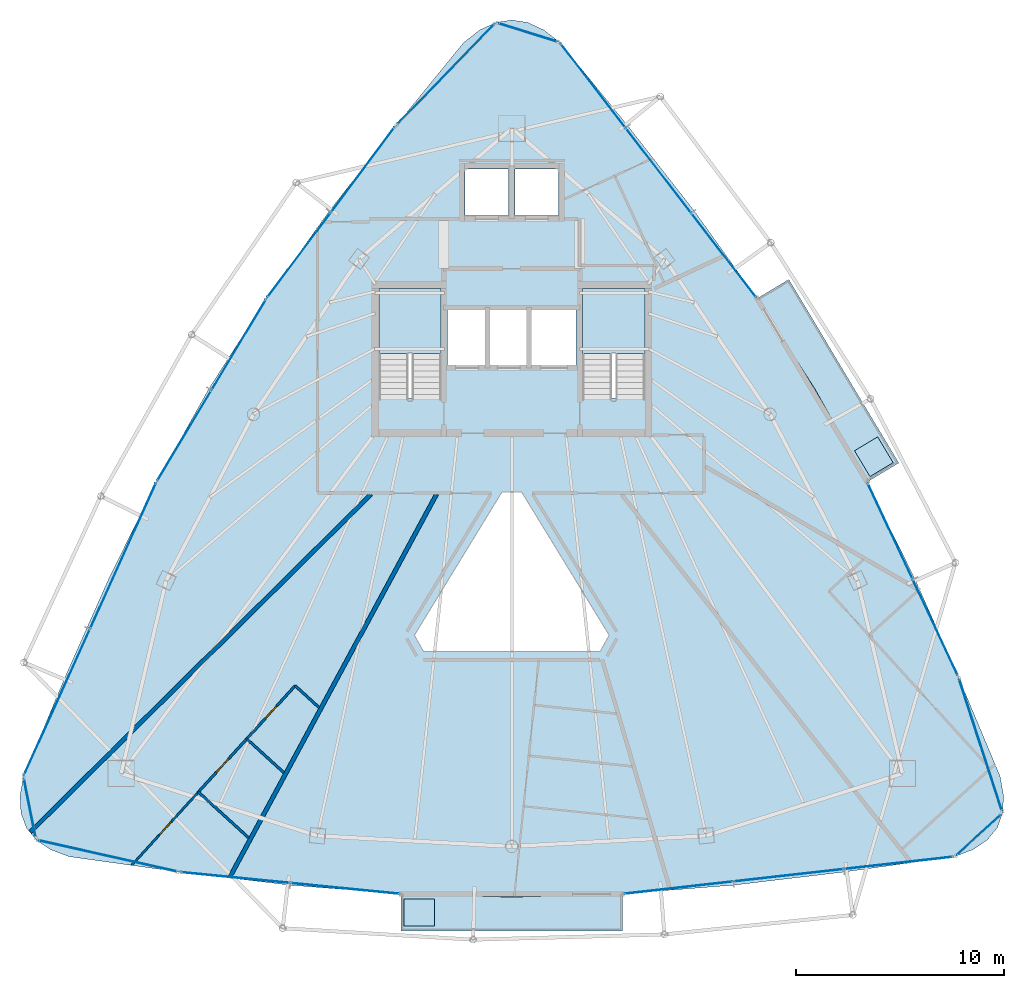
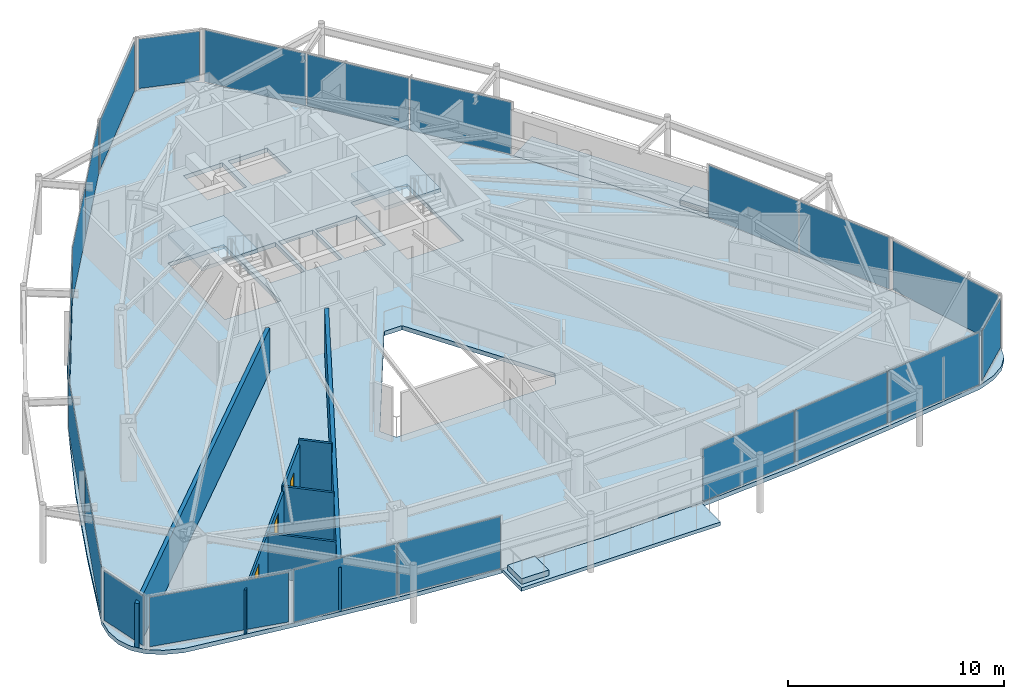
# One storey, part 28 of 34: 22 plates, 8 walls, 7 slabs, 3 doors, 3 openings, 15 elements without a shape of their own.
"""IFC4 building model written with IfcOpenShell, lengths in metres."""

from ifc_helpers import new_model, si_unit, direction, frame, frame_2d, origin, origin_2d, place, context, subcontext, project, spatial, polyline, rectangle, outline, extrude, material, layer, layer_set, type_object, element, fill, aggregate, save


model = new_model("IFC4")

# Units and contexts
model_context = context("Model", 3, precision=1e-05, world=origin(), true_north=direction((0.0, 1.0)))
body_context = subcontext(model_context, "Body", "Model", "MODEL_VIEW")
ifc_project = project(units=[si_unit("LENGTHUNIT", "METRE"), si_unit("AREAUNIT", "SQUARE_METRE"), si_unit("VOLUMEUNIT", "CUBIC_METRE"), si_unit("PLANEANGLEUNIT", "RADIAN"), si_unit("MASSUNIT", "GRAM", prefix="KILO")], contexts=[model_context])

# Site, building, storey
site_placement = place(None, origin())
site = spatial("IfcSite", under=ifc_project, at=site_placement, CompositionType="ELEMENT")
building_placement = place(site_placement, origin())
building = spatial("IfcBuilding", under=site, at=building_placement, Name="Orvanel Arch Residences", CompositionType="ELEMENT")
storey_placement = place(building_placement, frame((0.0, 0.0, 199.699951171875)))
storey = spatial("IfcBuildingStorey", under=building, at=storey_placement, Name="L56", CompositionType="ELEMENT", Elevation=199.699951171875)

# Curtain wall, plates
ifc_material_1 = material(Name="Bronze-anodised aluminium AA6063-T6", Category="aluminium")
ifc_layer_1 = layer(ifc_material_1, 0.175048828125)
ifc_layer_set_1 = layer_set([ifc_layer_1], Name="Bronze-anodised aluminium AA6063-T6")
curtain_wall_type_1 = type_object("IfcCurtainWallType", Name="CW4-HI-SYS", PredefinedType="NOTDEFINED", material=ifc_layer_set_1)
curtain_wall_1_placement = place(storey_placement, origin())
curtain_wall_1 = element("IfcCurtainWall", 1, at=curtain_wall_1_placement, inside=storey, type_object=curtain_wall_type_1, Name="L56 CW4-HI-SYS Unitised Curtain Wall", PredefinedType="NOTDEFINED")
ifc_material_2 = material(Name="Double-glazed solar-control low-E safety glass", Category="glass")
ifc_layer_2 = layer(ifc_material_2, 0.028076171875)
ifc_layer_set_2 = layer_set([ifc_layer_2], Name="Double-glazed solar-control low-E safety glass")
plate_type_1 = type_object("IfcPlateType", Name="PNL-GLZ-28", PredefinedType="CURTAIN_PANEL", material=ifc_layer_set_2)
plate_1_placement = place(storey_placement, frame((25.83154296875, 39.407958984375, 0.06005859375), z_axis=(0.0, 0.0, 1.0), x_axis=(-0.598944172287, -0.800790783216, 0.0)))
plate_1 = element("IfcPlate", 2, at=plate_1_placement, type_object=plate_type_1, Name="CW-S4 panel 1.1", PredefinedType="CURTAIN_PANEL", context=body_context, shape_type="SweptSolid", body=[
    extrude(rectangle(XDim=5.057373046875, YDim=0.028076171875, at=origin_2d()), origin(), (0.0, 0.0, 1.0), 2.93994140625),
])
plate_2_placement = place(storey_placement, frame((22.763427734375, 35.305908203125, 0.06005859375), z_axis=(0.0, 0.0, 1.0), x_axis=(-0.598944172287, -0.800790783216, 0.0)))
plate_2 = element("IfcPlate", 3, at=plate_2_placement, type_object=plate_type_1, Name="CW-S4 panel 2.1", PredefinedType="CURTAIN_PANEL", context=body_context, shape_type="SweptSolid", body=[
    extrude(rectangle(XDim=5.057373046875, YDim=0.028076171875, at=origin_2d()), origin(), (0.0, 0.0, 1.0), 2.93994140625),
])
aggregate(curtain_wall_1, [plate_1, plate_2])

curtain_wall_2_placement = place(storey_placement, origin())
curtain_wall_2 = element("IfcCurtainWall", 4, at=curtain_wall_2_placement, inside=storey, type_object=curtain_wall_type_1, Name="L56 CW4-HI-SYS Unitised Curtain Wall", PredefinedType="NOTDEFINED")
plate_3_placement = place(storey_placement, frame((19.8603515625, 30.9833984375, 0.06005859375), z_axis=(0.0, 0.0, 1.0), x_axis=(-0.514495755426, -0.857492925713, 0.0)))
plate_3 = element("IfcPlate", 5, at=plate_3_placement, type_object=plate_type_1, Name="CW-S4 panel 1.1", PredefinedType="CURTAIN_PANEL", context=body_context, shape_type="SweptSolid", body=[
    extrude(rectangle(XDim=5.03076171875, YDim=0.028076171875, at=origin_2d()), origin(), (0.0, 0.0, 1.0), 2.93994140625),
])
plate_4_placement = place(storey_placement, frame((17.238525390625, 26.61376953125, 0.06005859375), z_axis=(0.0, 0.0, 1.0), x_axis=(-0.514495755426, -0.857492925713, 0.0)))
plate_4 = element("IfcPlate", 6, at=plate_4_placement, type_object=plate_type_1, Name="CW-S4 panel 2.1", PredefinedType="CURTAIN_PANEL", context=body_context, shape_type="SweptSolid", body=[
    extrude(rectangle(XDim=5.03076171875, YDim=0.028076171875, at=origin_2d()), origin(), (0.0, 0.0, 1.0), 2.93994140625),
])
aggregate(curtain_wall_2, [plate_3, plate_4])

curtain_wall_3_placement = place(storey_placement, origin())
curtain_wall_3 = element("IfcCurtainWall", 7, at=curtain_wall_3_placement, inside=storey, type_object=curtain_wall_type_1, Name="L56 CW4-HI-SYS Unitised Curtain Wall", PredefinedType="NOTDEFINED")
plate_5_placement = place(storey_placement, frame((14.289794921875, 20.81787109375, 0.06005859375), z_axis=(0.0, 0.0, 1.0), x_axis=(-0.41176638777, -0.911289439148, 0.0)))
plate_5 = element("IfcPlate", 8, at=plate_5_placement, type_object=plate_type_1, Name="CW-S4 panel 1.1", PredefinedType="CURTAIN_PANEL", context=body_context, shape_type="SweptSolid", body=[
    extrude(rectangle(XDim=7.656982421875, YDim=0.028076171875, at=origin_2d()), origin(), (0.0, 0.0, 1.0), 2.93994140625),
])
plate_6_placement = place(storey_placement, frame((11.110107421875, 13.781005859375, 0.06005859375), z_axis=(0.0, 0.0, 1.0), x_axis=(-0.41176638777, -0.911289439148, 0.0)))
plate_6 = element("IfcPlate", 9, at=plate_6_placement, type_object=plate_type_1, Name="CW-S4 panel 2.1", PredefinedType="CURTAIN_PANEL", context=body_context, shape_type="SweptSolid", body=[
    extrude(rectangle(XDim=7.656982421875, YDim=0.028076171875, at=origin_2d()), origin(), (0.0, 0.0, 1.0), 2.93994140625),
])
aggregate(curtain_wall_3, [plate_5, plate_6])

curtain_wall_4_placement = place(storey_placement, origin())
curtain_wall_4 = element("IfcCurtainWall", 10, at=curtain_wall_4_placement, inside=storey, type_object=curtain_wall_type_1, Name="L56 CW4-HI-SYS Unitised Curtain Wall", PredefinedType="NOTDEFINED")
plate_7_placement = place(storey_placement, frame((19.704345703125, 5.343017578125, 0.06005859375), z_axis=(0.0, 0.0, 1.0), x_axis=(0.99514517761, -0.098417861591, 0.0)))
plate_7 = element("IfcPlate", 11, at=plate_7_placement, type_object=plate_type_1, Name="CW-S4 panel 1.1", PredefinedType="CURTAIN_PANEL", context=body_context, shape_type="SweptSolid", body=[
    extrude(rectangle(XDim=5.23681640625, YDim=0.028076171875, at=origin_2d()), origin(), (0.0, 0.0, 1.0), 2.93994140625),
])
plate_8_placement = place(storey_placement, frame((24.98046875, 4.821044921875, 0.06005859375), z_axis=(0.0, 0.0, 1.0), x_axis=(0.99514517761, -0.098417861591, 0.0)))
plate_8 = element("IfcPlate", 12, at=plate_8_placement, type_object=plate_type_1, Name="CW-S4 panel 2.1", PredefinedType="CURTAIN_PANEL", context=body_context, shape_type="SweptSolid", body=[
    extrude(rectangle(XDim=5.23681640625, YDim=0.028076171875, at=origin_2d()), origin(), (0.0, 0.0, 1.0), 2.93994140625),
])
aggregate(curtain_wall_4, [plate_7, plate_8])

curtain_wall_5_placement = place(storey_placement, origin())
curtain_wall_5 = element("IfcCurtainWall", 13, at=curtain_wall_5_placement, inside=storey, type_object=curtain_wall_type_1, Name="L56 CW4-HI-SYS Unitised Curtain Wall", PredefinedType="NOTDEFINED")
plate_9_placement = place(storey_placement, frame((41.022705078125, 4.85791015625, 0.06005859375), z_axis=(0.0, 0.0, 1.0), x_axis=(0.993730796907, 0.111799388547, 0.0)))
plate_9 = element("IfcPlate", 14, at=plate_9_placement, type_object=plate_type_1, Name="CW-S4 panel 1.1", PredefinedType="CURTAIN_PANEL", context=body_context, shape_type="SweptSolid", body=[
    extrude(rectangle(XDim=5.25146484375, YDim=0.028076171875, at=origin_2d()), origin(), (0.0, 0.0, 1.0), 2.93994140625),
])
plate_10_placement = place(storey_placement, frame((46.322021484375, 5.4541015625, 0.06005859375), z_axis=(0.0, 0.0, 1.0), x_axis=(0.993730796907, 0.111799388547, 0.0)))
plate_10 = element("IfcPlate", 15, at=plate_10_placement, type_object=plate_type_1, Name="CW-S4 panel 2.1", PredefinedType="CURTAIN_PANEL", context=body_context, shape_type="SweptSolid", body=[
    extrude(rectangle(XDim=5.283935546875, YDim=0.028076171875, at=origin_2d()), origin(), (0.0, 0.0, 1.0), 2.93994140625),
])
plate_11_placement = place(storey_placement, frame((51.62109375, 6.05029296875, 0.06005859375), z_axis=(0.0, 0.0, 1.0), x_axis=(0.993730796907, 0.111799388547, 0.0)))
plate_11 = element("IfcPlate", 16, at=plate_11_placement, type_object=plate_type_1, Name="CW-S4 panel 3.1", PredefinedType="CURTAIN_PANEL", context=body_context, shape_type="SweptSolid", body=[
    extrude(rectangle(XDim=5.25146484375, YDim=0.028076171875, at=origin_2d()), origin(), (0.0, 0.0, 1.0), 2.93994140625),
])
aggregate(curtain_wall_5, [plate_9, plate_10, plate_11])

curtain_wall_6_placement = place(storey_placement, origin())
curtain_wall_6 = element("IfcCurtainWall", 17, at=curtain_wall_6_placement, inside=storey, type_object=curtain_wall_type_1, Name="L56 CW4-HI-SYS Unitised Curtain Wall", PredefinedType="NOTDEFINED")
plate_12_placement = place(storey_placement, frame((53.3828125, 17.378662109375, 0.06005859375), z_axis=(0.0, 0.0, 1.0), x_axis=(-0.424493509228, 0.905430980596, 0.0)))
plate_12 = element("IfcPlate", 18, at=plate_12_placement, type_object=plate_type_1, Name="CW-S4 panel 1.1", PredefinedType="CURTAIN_PANEL", context=body_context, shape_type="SweptSolid", body=[
    extrude(rectangle(XDim=5.05810546875, YDim=0.028076171875, at=origin_2d()), origin(), (0.0, 0.0, 1.0), 2.93994140625),
])
plate_13_placement = place(storey_placement, frame((51.208251953125, 22.017333984375, 0.06005859375), z_axis=(0.0, 0.0, 1.0), x_axis=(-0.424493509228, 0.905430980596, 0.0)))
plate_13 = element("IfcPlate", 19, at=plate_13_placement, type_object=plate_type_1, Name="CW-S4 panel 2.1", PredefinedType="CURTAIN_PANEL", context=body_context, shape_type="SweptSolid", body=[
    extrude(rectangle(XDim=5.05810546875, YDim=0.028076171875, at=origin_2d()), origin(), (0.0, 0.0, 1.0), 2.93994140625),
])
aggregate(curtain_wall_6, [plate_12, plate_13])

curtain_wall_7_placement = place(storey_placement, origin())
curtain_wall_7 = element("IfcCurtainWall", 20, at=curtain_wall_7_placement, inside=storey, type_object=curtain_wall_type_1, Name="L56 CW4-HI-SYS Unitised Curtain Wall", PredefinedType="NOTDEFINED")
plate_14_placement = place(storey_placement, frame((43.203125, 35.289794921875, 0.06005859375), z_axis=(0.0, 0.0, 1.0), x_axis=(-0.610134485069, 0.792297867049, 0.0)))
plate_14 = element("IfcPlate", 21, at=plate_14_placement, type_object=plate_type_1, Name="CW-S4 panel 1.1", PredefinedType="CURTAIN_PANEL", context=body_context, shape_type="SweptSolid", body=[
    extrude(rectangle(XDim=5.07177734375, YDim=0.028076171875, at=origin_2d()), origin(), (0.0, 0.0, 1.0), 2.93994140625),
])
plate_15_placement = place(storey_placement, frame((40.05908203125, 39.37255859375, 0.06005859375), z_axis=(0.0, 0.0, 1.0), x_axis=(-0.610134485069, 0.792297867049, 0.0)))
plate_15 = element("IfcPlate", 22, at=plate_15_placement, type_object=plate_type_1, Name="CW-S4 panel 2.1", PredefinedType="CURTAIN_PANEL", context=body_context, shape_type="SweptSolid", body=[
    extrude(rectangle(XDim=5.104248046875, YDim=0.028076171875, at=origin_2d()), origin(), (0.0, 0.0, 1.0), 2.93994140625),
])
plate_16_placement = place(storey_placement, frame((36.914794921875, 43.455322265625, 0.06005859375), z_axis=(0.0, 0.0, 1.0), x_axis=(-0.610134485069, 0.792297867049, 0.0)))
plate_16 = element("IfcPlate", 23, at=plate_16_placement, type_object=plate_type_1, Name="CW-S4 panel 3.1", PredefinedType="CURTAIN_PANEL", context=body_context, shape_type="SweptSolid", body=[
    extrude(rectangle(XDim=5.07177734375, YDim=0.028076171875, at=origin_2d()), origin(), (0.0, 0.0, 1.0), 2.93994140625),
])
aggregate(curtain_wall_7, [plate_14, plate_15, plate_16])

# Curtain wall, plate
ifc_layer_3 = layer(ifc_material_1, 0.18994140625)
ifc_layer_set_3 = layer_set([ifc_layer_3], Name="Bronze-anodised aluminium AA6063-T6")
curtain_wall_type_2 = type_object("IfcCurtainWallType", Name="CW5-CRN-SYS", PredefinedType="NOTDEFINED", material=ifc_layer_set_3)
curtain_wall_8_placement = place(storey_placement, origin())
curtain_wall_8 = element("IfcCurtainWall", 24, at=curtain_wall_8_placement, inside=storey, type_object=curtain_wall_type_2, Name="L56 CW5-CRN-SYS Unitised Curtain Wall", PredefinedType="NOTDEFINED")
ifc_layer_4 = layer(ifc_material_2, 0.031982421875)
ifc_layer_set_4 = layer_set([ifc_layer_4], Name="Double-glazed solar-control low-E safety glass")
plate_type_2 = type_object("IfcPlateType", Name="PNL-GLZ-32", PredefinedType="CURTAIN_PANEL", material=ifc_layer_set_4)
plate_17_placement = place(storey_placement, frame((33.77197265625, 46.012451171875, 0.1298828125), z_axis=(0.0, 0.0, 1.0), x_axis=(-0.954846908843, 0.297098267705, 0.0)))
plate_17 = element("IfcPlate", 25, at=plate_17_placement, type_object=plate_type_2, Name="CW-S5 panel 1.1", PredefinedType="CURTAIN_PANEL", context=body_context, shape_type="SweptSolid", body=[
    extrude(rectangle(XDim=2.894287109375, YDim=0.031982421875, at=origin_2d()), origin(), (0.0, 0.0, 1.0), 2.800048828125),
])
aggregate(curtain_wall_8, [plate_17])

curtain_wall_9_placement = place(storey_placement, origin())
curtain_wall_9 = element("IfcCurtainWall", 26, at=curtain_wall_9_placement, inside=storey, type_object=curtain_wall_type_2, Name="L56 CW5-CRN-SYS Unitised Curtain Wall", PredefinedType="NOTDEFINED")
plate_18_placement = place(storey_placement, frame((29.8125, 43.9970703125, 0.1298828125), z_axis=(0.0, 0.0, 1.0), x_axis=(-0.695356310733, -0.718665152295, 0.0)))
plate_18 = element("IfcPlate", 27, at=plate_18_placement, type_object=plate_type_2, Name="CW-S5 panel 1.1", PredefinedType="CURTAIN_PANEL", context=body_context, shape_type="SweptSolid", body=[
    extrude(rectangle(XDim=6.607177734375, YDim=0.031982421875, at=origin_2d()), origin(), (0.0, 0.0, 1.0), 2.800048828125),
])
aggregate(curtain_wall_9, [plate_18])

curtain_wall_10_placement = place(storey_placement, origin())
curtain_wall_10 = element("IfcCurtainWall", 28, at=curtain_wall_10_placement, inside=storey, type_object=curtain_wall_type_2, Name="L56 CW5-CRN-SYS Unitised Curtain Wall", PredefinedType="NOTDEFINED")
plate_19_placement = place(storey_placement, frame((9.803466796875, 8.6875, 0.1298828125), z_axis=(0.0, 0.0, 1.0), x_axis=(0.195490565454, -0.980705582129, 0.0)))
plate_19 = element("IfcPlate", 29, at=plate_19_placement, type_object=plate_type_2, Name="CW-S5 panel 1.1", PredefinedType="CURTAIN_PANEL", context=body_context, shape_type="SweptSolid", body=[
    extrude(rectangle(XDim=2.7744140625, YDim=0.031982421875, at=origin_2d()), origin(), (0.0, 0.0, 1.0), 2.800048828125),
])
aggregate(curtain_wall_10, [plate_19])

curtain_wall_11_placement = place(storey_placement, origin())
curtain_wall_11 = element("IfcCurtainWall", 30, at=curtain_wall_11_placement, inside=storey, type_object=curtain_wall_type_2, Name="L56 CW5-CRN-SYS Unitised Curtain Wall", PredefinedType="NOTDEFINED")
plate_20_placement = place(storey_placement, frame((13.56103515625, 6.384521484375, 0.1298828125), z_axis=(0.0, 0.0, 1.0), x_axis=(0.975666023426, -0.219261968278, 0.0)))
plate_20 = element("IfcPlate", 31, at=plate_20_placement, type_object=plate_type_2, Name="CW-S5 panel 1.1", PredefinedType="CURTAIN_PANEL", context=body_context, shape_type="SweptSolid", body=[
    extrude(rectangle(XDim=6.7373046875, YDim=0.031982421875, at=origin_2d()), origin(), (0.0, 0.0, 1.0), 2.800048828125),
])
aggregate(curtain_wall_11, [plate_20])

curtain_wall_12_placement = place(storey_placement, origin())
curtain_wall_12 = element("IfcCurtainWall", 32, at=curtain_wall_12_placement, inside=storey, type_object=curtain_wall_type_2, Name="L56 CW5-CRN-SYS Unitised Curtain Wall", PredefinedType="NOTDEFINED")
plate_21_placement = place(storey_placement, frame((55.468017578125, 7.39990234375, 0.1298828125), z_axis=(0.0, 0.0, 1.0), x_axis=(0.740116617889, 0.672478543839, 0.0)))
plate_21 = element("IfcPlate", 33, at=plate_21_placement, type_object=plate_type_2, Name="CW-S5 panel 1.1", PredefinedType="CURTAIN_PANEL", context=body_context, shape_type="SweptSolid", body=[
    extrude(rectangle(XDim=2.775146484375, YDim=0.031982421875, at=origin_2d()), origin(), (0.0, 0.0, 1.0), 2.800048828125),
])
aggregate(curtain_wall_12, [plate_21])

curtain_wall_13_placement = place(storey_placement, origin())
curtain_wall_13 = element("IfcCurtainWall", 34, at=curtain_wall_13_placement, inside=storey, type_object=curtain_wall_type_2, Name="L56 CW5-CRN-SYS Unitised Curtain Wall", PredefinedType="NOTDEFINED")
plate_22_placement = place(storey_placement, frame((55.556396484375, 11.7294921875, 0.1298828125), z_axis=(0.0, 0.0, 1.0), x_axis=(-0.308522517622, 0.951217039439, 0.0)))
plate_22 = element("IfcPlate", 35, at=plate_22_placement, type_object=plate_type_2, Name="CW-S5 panel 1.1", PredefinedType="CURTAIN_PANEL", context=body_context, shape_type="SweptSolid", body=[
    extrude(rectangle(XDim=6.561767578125, YDim=0.031982421875, at=origin_2d()), origin(), (0.0, 0.0, 1.0), 2.800048828125),
])
aggregate(curtain_wall_13, [plate_22])

# Slabs
ifc_material_3 = material(Name="Concrete N40 (40 MPa)", Category="concrete")
ifc_layer_5 = layer(ifc_material_3, 0.199951171875)
ifc_layer_set_5 = layer_set([ifc_layer_5], Name="Concrete N40 (40 MPa)")
slab_type_1 = type_object("IfcSlabType", Name="SLB-BAL-200", PredefinedType="FLOOR", material=ifc_layer_set_5)
slab_1_placement = place(storey_placement, frame((0.0, 0.0, -0.199951171875)))
element("IfcSlab", 36, at=slab_1_placement, inside=storey, type_object=slab_type_1, Name="L56 Cantilevered Balcony Slab Face 2", PredefinedType="FLOOR", context=body_context, shape_type="SweptSolid", body=[
    extrude(outline(polyline([(27.6708984375, 2.77490234375), (38.3291015625, 2.77490234375), (38.3291015625, 4.554931640625), (33.0, 4.406982421875), (27.6708984375, 4.554931640625), (27.6708984375, 2.77490234375)])), origin(), (0.0, 0.0, 1.0), 0.199951171875),
])
slab_2_placement = place(storey_placement, frame((0.0, 0.0, -0.199951171875)))
element("IfcSlab", 37, at=slab_2_placement, inside=storey, type_object=slab_type_1, Name="L56 Cantilevered Balcony Slab Face 3", PredefinedType="FLOOR", context=body_context, shape_type="SweptSolid", body=[
    extrude(outline(polyline([(51.625, 25.299072265625), (46.3291015625, 34.12890625), (44.802001953125, 33.212890625), (47.577880859375, 28.8740234375), (50.09912109375, 24.384033203125), (51.625, 25.299072265625)])), origin(), (0.0, 0.0, 1.0), 0.199951171875),
])

# Stair, slab
ifc_material_4 = material(Name="Precast concrete N50 (50 MPa)", Category="concrete")
stair_type = type_object("IfcStairType", Name="STR-DOG-184", PredefinedType="USERDEFINED", material=ifc_material_4)
stair_1_placement = place(storey_placement, origin())
stair_1 = element("IfcStair", 38, at=stair_1_placement, inside=storey, type_object=stair_type, Name="L56 Fire-Isolated Core Exit Stair 1", ObjectType="TWO_RETURN_STAIR", PredefinedType="USERDEFINED")
ifc_layer_6 = layer(ifc_material_3, 0.199951171875)
ifc_layer_set_6 = layer_set([ifc_layer_6], Name="Concrete N40 (40 MPa)")
slab_type_2 = type_object("IfcSlabType", Name="SLB-LND-200", PredefinedType="LANDING", material=ifc_layer_set_6)
slab_3_placement = place(storey_placement, frame((0.0, 0.0, 1.449951171875)))
slab_3 = element("IfcSlab", 39, at=slab_3_placement, type_object=slab_type_2, Name="ST-1 landing 1", PredefinedType="LANDING", context=body_context, shape_type="SweptSolid", body=[
    extrude(outline(polyline([(29.60009765625, 30.56005859375), (29.60009765625, 33.699951171875), (26.60009765625, 33.699951171875), (26.60009765625, 30.56005859375), (29.60009765625, 30.56005859375)])), origin(), (0.0, 0.0, 1.0), 0.2001953125),
])
aggregate(stair_1, [slab_3])

stair_2_placement = place(storey_placement, origin())
stair_2 = element("IfcStair", 40, at=stair_2_placement, inside=storey, type_object=stair_type, Name="L56 Fire-Isolated Core Exit Stair 2", ObjectType="TWO_RETURN_STAIR", PredefinedType="USERDEFINED")
slab_4_placement = place(storey_placement, frame((0.0, 0.0, 1.449951171875)))
slab_4 = element("IfcSlab", 41, at=slab_4_placement, type_object=slab_type_2, Name="ST-2 landing 1", PredefinedType="LANDING", context=body_context, shape_type="SweptSolid", body=[
    extrude(outline(polyline([(39.39990234375, 30.56005859375), (39.39990234375, 33.699951171875), (36.39990234375, 33.699951171875), (36.39990234375, 30.56005859375), (39.39990234375, 30.56005859375)])), origin(), (0.0, 0.0, 1.0), 0.2001953125),
])
aggregate(stair_2, [slab_4])

# Slabs
ifc_material_5 = material(Name="Structural architectural precast concrete N40 (40 MPa) planter", Category="concrete")
ifc_layer_7 = layer(ifc_material_5, 0.320068359375)
ifc_layer_set_7 = layer_set([ifc_layer_7], Name="Structural architectural precast concrete N40 (40 MPa) planter")
slab_type_3 = type_object("IfcSlabType", Name="SLB-PLN-320", PredefinedType="USERDEFINED", material=ifc_layer_set_7)
slab_5_placement = place(storey_placement, origin())
element("IfcSlab", 42, at=slab_5_placement, inside=storey, type_object=slab_type_3, Name="L56 Balcony TREE PLANTER Face 2", ObjectType="PLANTER", PredefinedType="USERDEFINED", context=body_context, shape_type="SweptSolid", body=[
    extrude(outline(polyline([(27.821044921875, 3.0048828125), (29.27099609375, 3.0048828125), (29.27099609375, 4.304931640625), (27.821044921875, 4.304931640625), (27.821044921875, 3.0048828125)])), origin(), (0.0, 0.0, 1.0), 0.320068359375),
])
slab_6_placement = place(storey_placement, origin())
element("IfcSlab", 43, at=slab_6_placement, inside=storey, type_object=slab_type_3, Name="L56 Balcony TREE PLANTER Face 3", ObjectType="PLANTER", PredefinedType="USERDEFINED", context=body_context, shape_type="SweptSolid", body=[
    extrude(outline(polyline([(51.35107421875, 25.30908203125), (50.60498046875, 26.552978515625), (49.489990234375, 25.884033203125), (50.236083984375, 24.64111328125), (51.35107421875, 25.30908203125)])), origin(), (0.0, 0.0, 1.0), 0.320068359375),
])
ifc_layer_8 = layer(ifc_material_3, 0.239990234375)
ifc_layer_set_8 = layer_set([ifc_layer_8], Name="Concrete N40 (40 MPa)")
slab_type_4 = type_object("IfcSlabType", Name="SLB-TYP-240", PredefinedType="FLOOR", material=ifc_layer_set_8)
slab_7_placement = place(storey_placement, frame((0.0, 0.0, -0.239990234375)))
element("IfcSlab", 44, at=slab_7_placement, inside=storey, type_object=slab_type_4, Name="L56 Tower Floor Slab", PredefinedType="FLOOR", context=body_context, shape_type="SweptSolid", body=[
    extrude(outline(polyline([(35.31591796875, 45.531982421875), (34.5439453125, 46.133056640625), (33.77197265625, 46.492919921875), (33.0, 46.614013671875), (32.22802734375, 46.492919921875), (31.4560546875, 46.133056640625), (30.68408203125, 45.531982421875), (27.39697265625, 41.5009765625), (24.20703125, 37.410888671875), (21.197998046875, 33.212890625), (18.422119140625, 28.8740234375), (15.90087890625, 24.384033203125), (13.614990234375, 19.751953125), (11.508056640625, 15.011962890625), (9.4990234375, 10.215087890625), (9.3330078125, 9.27099609375), (9.37890625, 8.447021484375), (9.636962890625, 7.742919921875), (10.10791015625, 7.159912109375), (10.7900390625, 6.696044921875), (11.68505859375, 6.35302734375), (17.013916015625, 5.60888671875), (22.343017578125, 4.97705078125), (27.6708984375, 4.554931640625), (33.0, 4.406982421875), (38.3291015625, 4.554931640625), (43.656982421875, 4.97705078125), (48.986083984375, 5.60888671875), (54.31494140625, 6.35302734375), (55.2099609375, 6.696044921875), (55.89208984375, 7.159912109375), (56.363037109375, 7.742919921875), (56.62109375, 8.447021484375), (56.6669921875, 9.27099609375), (56.5009765625, 10.215087890625), (54.491943359375, 15.011962890625), (52.385009765625, 19.751953125), (50.09912109375, 24.384033203125), (47.577880859375, 28.8740234375), (44.802001953125, 33.212890625), (41.7919921875, 37.410888671875), (38.60302734375, 41.5009765625), (35.31591796875, 45.531982421875)]), holes=[polyline([(26.60009765625, 28.429931640625), (26.60009765625, 33.699951171875), (29.60009765625, 33.699951171875), (29.60009765625, 28.429931640625), (26.60009765625, 28.429931640625)]), polyline([(36.39990234375, 28.429931640625), (36.39990234375, 33.699951171875), (39.39990234375, 33.699951171875), (39.39990234375, 28.429931640625), (36.39990234375, 28.429931640625)]), polyline([(29.89990234375, 32.64990234375), (31.75, 32.64990234375), (31.75, 29.949951171875), (29.89990234375, 29.949951171875), (29.89990234375, 32.64990234375)]), polyline([(31.89990234375, 32.64990234375), (33.75, 32.64990234375), (33.75, 29.949951171875), (31.89990234375, 29.949951171875), (31.89990234375, 32.64990234375)]), polyline([(33.89990234375, 32.64990234375), (36.10009765625, 32.64990234375), (36.10009765625, 29.949951171875), (33.89990234375, 29.949951171875), (33.89990234375, 32.64990234375)]), polyline([(30.75, 39.449951171875), (32.85009765625, 39.449951171875), (32.85009765625, 37.199951171875), (30.75, 37.199951171875), (30.75, 39.449951171875)]), polyline([(33.14990234375, 39.449951171875), (35.25, 39.449951171875), (35.25, 37.199951171875), (33.14990234375, 37.199951171875), (33.14990234375, 39.449951171875)]), polyline([(37.68798828125, 17.006103515625), (37.2529296875, 16.22802734375), (28.7470703125, 16.22802734375), (28.31201171875, 17.006103515625), (32.52490234375, 23.89794921875), (33.47509765625, 23.89794921875), (37.68798828125, 17.006103515625)])]), origin(), (0.0, 0.0, 1.0), 0.239990234375),
])

# Walls
ifc_material_6 = material(Name="Fire-rated plasterboard lined steel stud partition", Category="steel")
ifc_layer_9 = layer(ifc_material_6, 0.199951171875)
ifc_layer_set_9 = layer_set([ifc_layer_9], Name="Fire-rated plasterboard lined steel stud partition")
wall_type_1 = type_object("IfcWallType", Name="W-DEM-200", PredefinedType="PARTITIONING", material=ifc_layer_set_9)
wall_1_placement = place(storey_placement, frame((19.416015625, 5.337890625, 0.0), z_axis=(0.0, 0.0, 1.0), x_axis=(0.475065982754, 0.879950175879, 0.0)))
element("IfcWall", 45, at=wall_1_placement, inside=storey, type_object=wall_type_1, Name="L56 Inter-Tenancy Acoustic Demising Wall", PredefinedType="PARTITIONING", context=body_context, shape_type="SweptSolid", body=[
    extrude(rectangle(XDim=20.969482421875, YDim=0.199951171875, at=frame_2d((10.48486328125, 0.0))), origin(), (0.0, 0.0, 1.0), 2.491943359375),
])
wall_2_placement = place(storey_placement, frame((26.23095703125, 23.7900390625, 0.0), z_axis=(0.0, 0.0, 1.0), x_axis=(-0.710239236144, -0.703960387693, 0.0)))
element("IfcWall", 46, at=wall_2_placement, inside=storey, type_object=wall_type_1, Name="L56 Inter-Tenancy Acoustic Demising Wall", PredefinedType="PARTITIONING", context=body_context, shape_type="SweptSolid", body=[
    extrude(rectangle(XDim=23.096435546875, YDim=0.199951171875, at=frame_2d((11.54833984375, 0.0))), origin(), (0.0, 0.0, 1.0), 2.491943359375),
])

# Wall, opening, door
ifc_material_7 = material(Name="Acoustic plasterboard lined twin-stud partition", Category="gypsum")
ifc_layer_10 = layer(ifc_material_7, 0.10009765625)
ifc_layer_set_10 = layer_set([ifc_layer_10], Name="Acoustic plasterboard lined twin-stud partition")
wall_type_2 = type_object("IfcWallType", Name="W-INT-100", PredefinedType="PARTITIONING", material=ifc_layer_set_10)
wall_3_placement = place(storey_placement, frame((17.9169921875, 9.4609375, 0.0), z_axis=(0.0, 0.0, 1.0), x_axis=(-0.673104266943, -0.739547595374, 0.0)))
wall_3 = element("IfcWall", 47, at=wall_3_placement, inside=storey, type_object=wall_type_2, Name="L56 Flat E Internal Partition", PredefinedType="PARTITIONING", context=body_context, shape_type="SweptSolid", body=[
    extrude(rectangle(XDim=4.75830078125, YDim=0.10009765625, at=frame_2d((2.379150390625, 0.0))), origin(), (0.0, 0.0, 1.0), 2.491943359375),
])
opening_1_placement = place(wall_3_placement, frame((1.93896484375, 0.0, 0.0)))
opening_1 = element("IfcOpeningElement", 48, at=opening_1_placement, cuts=wall_3, Name="Opening DI-088", PredefinedType="OPENING", context=body_context, shape_type="SweptSolid", body=[
    extrude(rectangle(XDim=0.8798828125, YDim=2.10009765625, at=frame_2d((0.43994140625, 1.050048828125))), frame((0.0, 0.06005859375, 0.0), z_axis=(0.0, -1.0, 0.0), x_axis=(1.0, 0.0, 0.0)), (0.0, 0.0, 1.0), 0.1201171875),
])
ifc_material_8 = material(Name="Solid-core European oak veneer fire door leaf", Category="wood")
door_type_1 = type_object("IfcDoorType", Name="DR-INT-880", OperationType="NOTDEFINED", PredefinedType="DOOR", material=ifc_material_8)
door_1_placement = place(opening_1_placement, origin())
door_1 = element("IfcDoor", 49, at=door_1_placement, inside=storey, type_object=door_type_1, Name="DR-L56-E-BED1 L56 Flat E Bedroom 1 Door", OperationType="SINGLE_SWING_LEFT", OverallHeight=2.10009765625, OverallWidth=0.8798828125, PredefinedType="DOOR", context=body_context, shape_type="SweptSolid", body=[
    extrude(rectangle(XDim=0.8798828125, YDim=2.10009765625, at=frame_2d((0.43994140625, 1.050048828125))), frame((0.0, 0.02490234375, 0.0), z_axis=(0.0, -1.0, 0.0), x_axis=(1.0, 0.0, 0.0)), (0.0, 0.0, 1.0), 0.050048828125),
])
fill(opening_1, door_1)

# Wall
ifc_layer_11 = layer(ifc_material_7, 0.1201171875)
ifc_layer_set_11 = layer_set([ifc_layer_11], Name="Acoustic plasterboard lined twin-stud partition")
wall_type_3 = type_object("IfcWallType", Name="W-WET-120", PredefinedType="PARTITIONING", material=ifc_layer_set_11)
wall_4_placement = place(storey_placement, frame((23.736083984375, 13.51904296875, 0.0), z_axis=(0.0, 0.0, 1.0), x_axis=(-0.739215251716, 0.673469235846, 0.0)))
element("IfcWall", 50, at=wall_4_placement, inside=storey, type_object=wall_type_3, Name="L56 Flat E Bathroom Partition", PredefinedType="PARTITIONING", context=body_context, shape_type="SweptSolid", body=[
    extrude(rectangle(XDim=1.57080078125, YDim=0.1201171875, at=frame_2d((0.785400390625, 0.0))), origin(), (0.0, 0.0, 1.0), 3.06005859375),
])

# Wall, opening, door
wall_5_placement = place(storey_placement, frame((22.574951171875, 14.576904296875, 0.0), z_axis=(0.0, 0.0, 1.0), x_axis=(-0.673231148277, -0.739432093563, 0.0)))
wall_5 = element("IfcWall", 51, at=wall_5_placement, inside=storey, type_object=wall_type_3, Name="L56 Flat E Bathroom Partition", PredefinedType="PARTITIONING", context=body_context, shape_type="SweptSolid", body=[
    extrude(rectangle(XDim=3.459228515625, YDim=0.1201171875, at=frame_2d((1.7294921875, 0.0))), origin(), (0.0, 0.0, 1.0), 2.77294921875),
])
opening_2_placement = place(wall_5_placement, frame((1.320068359375, 0.0, 0.0)))
opening_2 = element("IfcOpeningElement", 52, at=opening_2_placement, cuts=wall_5, Name="Opening DW-082", PredefinedType="OPENING", context=body_context, shape_type="SweptSolid", body=[
    extrude(rectangle(XDim=0.820068359375, YDim=2.10009765625, at=frame_2d((0.41015625, 1.050048828125))), frame((0.0, 0.070068359375, 0.0), z_axis=(0.0, -1.0, 0.0), x_axis=(1.0, 0.0, 0.0)), (0.0, 0.0, 1.0), 0.14013671875),
])
door_type_2 = type_object("IfcDoorType", Name="DR-WET-820", OperationType="NOTDEFINED", PredefinedType="DOOR", material=ifc_material_8)
door_2_placement = place(opening_2_placement, origin())
door_2 = element("IfcDoor", 53, at=door_2_placement, inside=storey, type_object=door_type_2, Name="DR-L56-E-BATH L56 Flat E Bathroom Door", OperationType="SINGLE_SWING_RIGHT", OverallHeight=2.10009765625, OverallWidth=0.820068359375, PredefinedType="DOOR", context=body_context, shape_type="SweptSolid", body=[
    extrude(rectangle(XDim=0.820068359375, YDim=2.10009765625, at=frame_2d((0.41015625, 1.050048828125))), frame((0.0, 0.02490234375, 0.0), z_axis=(0.0, -1.0, 0.0), x_axis=(1.0, 0.0, 0.0)), (0.0, 0.0, 1.0), 0.050048828125),
])
fill(opening_2, door_2)

wall_6_placement = place(storey_placement, frame((20.24609375, 12.01904296875, 0.0), z_axis=(0.0, 0.0, 1.0), x_axis=(-0.673234602732, -0.739428948368, 0.0)))
wall_6 = element("IfcWall", 54, at=wall_6_placement, inside=storey, type_object=wall_type_3, Name="L56 Flat E Internal Partition", PredefinedType="PARTITIONING", context=body_context, shape_type="SweptSolid", body=[
    extrude(rectangle(XDim=3.45947265625, YDim=0.1201171875, at=frame_2d((1.729736328125, 0.0))), origin(), (0.0, 0.0, 1.0), 2.491943359375),
])
opening_3_placement = place(wall_6_placement, frame((1.2900390625, 0.0, 0.0)))
opening_3 = element("IfcOpeningElement", 55, at=opening_3_placement, cuts=wall_6, Name="Opening DI-088", PredefinedType="OPENING", context=body_context, shape_type="SweptSolid", body=[
    extrude(rectangle(XDim=0.8798828125, YDim=2.10009765625, at=frame_2d((0.43994140625, 1.050048828125))), frame((0.0, 0.070068359375, 0.0), z_axis=(0.0, -1.0, 0.0), x_axis=(1.0, 0.0, 0.0)), (0.0, 0.0, 1.0), 0.14013671875),
])
door_3_placement = place(opening_3_placement, origin())
door_3 = element("IfcDoor", 56, at=door_3_placement, inside=storey, type_object=door_type_1, Name="DR-L56-E-KIT L56 Flat E Kitchen Door", OperationType="SINGLE_SWING_LEFT", OverallHeight=2.10009765625, OverallWidth=0.8798828125, PredefinedType="DOOR", context=body_context, shape_type="SweptSolid", body=[
    extrude(rectangle(XDim=0.8798828125, YDim=2.10009765625, at=frame_2d((0.43994140625, 1.050048828125))), frame((0.0, 0.02490234375, 0.0), z_axis=(0.0, -1.0, 0.0), x_axis=(1.0, 0.0, 0.0)), (0.0, 0.0, 1.0), 0.050048828125),
])
fill(opening_3, door_3)

# Walls
wall_7_placement = place(storey_placement, frame((22.04296875, 10.383056640625, 0.0), z_axis=(0.0, 0.0, 1.0), x_axis=(-0.739435258465, 0.673227672143, 0.0)))
element("IfcWall", 57, at=wall_7_placement, inside=storey, type_object=wall_type_3, Name="L56 Flat E Bathroom Partition", PredefinedType="PARTITIONING", context=body_context, shape_type="SweptSolid", body=[
    extrude(rectangle(XDim=2.43017578125, YDim=0.1201171875, at=frame_2d((1.215087890625, 0.0))), origin(), (0.0, 0.0, 1.0), 2.77294921875),
])
wall_8_placement = place(storey_placement, frame((20.35009765625, 7.24609375, 0.0), z_axis=(0.0, 0.0, 1.0), x_axis=(-0.739496715577, 0.673160164932, 0.0)))
element("IfcWall", 58, at=wall_8_placement, inside=storey, type_object=wall_type_3, Name="L56 Flat E Internal Partition", PredefinedType="PARTITIONING", context=body_context, shape_type="SweptSolid", body=[
    extrude(rectangle(XDim=3.290283203125, YDim=0.1201171875, at=frame_2d((1.64501953125, 0.0))), origin(), (0.0, 0.0, 1.0), 2.491943359375),
])

save(model, "model.ifc")
